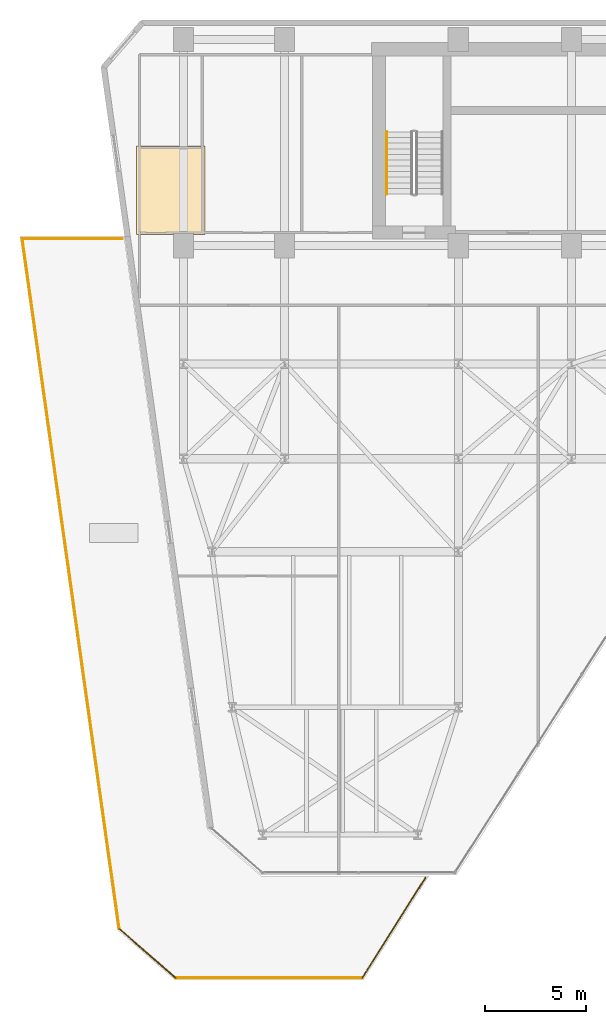
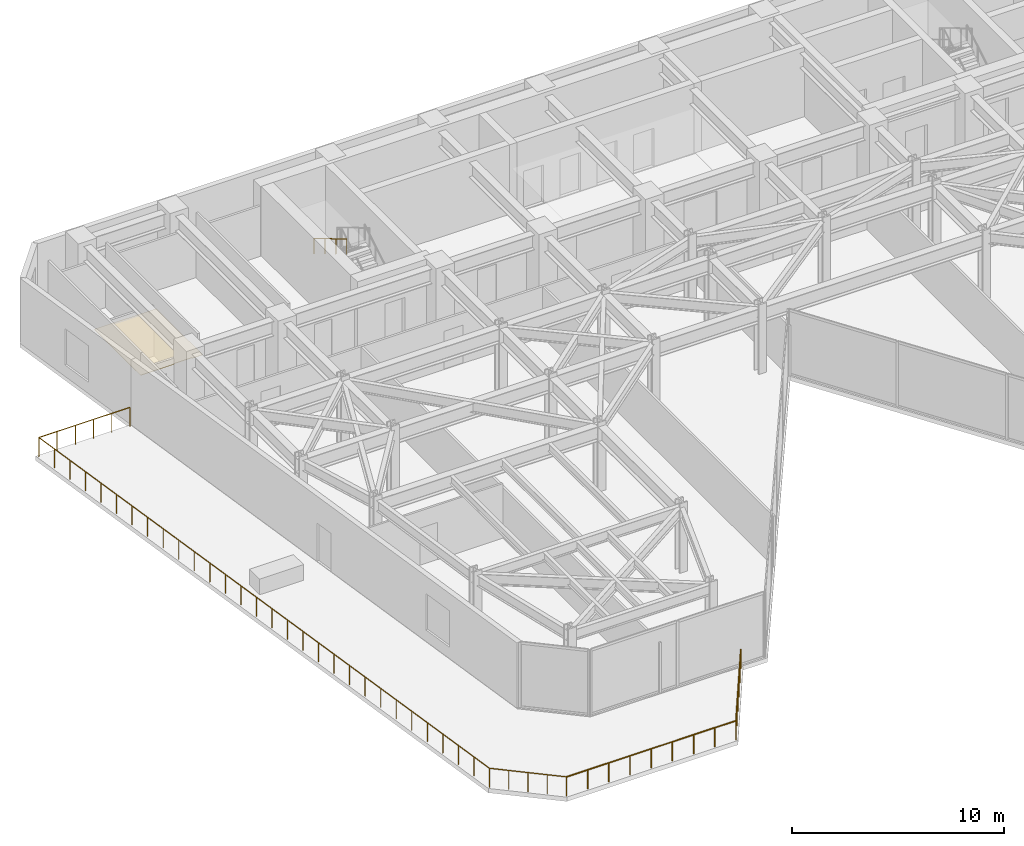
# One storey, part 22 of 24: 6 railings, 1 covering.
"""IFC4 building model written with IfcOpenShell, lengths in metres."""

from ifc_helpers import new_model, si_unit, direction, frame, origin, origin_2d, place, context, subcontext, project, spatial, polyline, circle, outline, extrude, material, layer, layer_set, type_object, element, save


model = new_model("IFC4")

# Units and contexts
model_context = context("Model", 3, precision=1e-05, world=origin(), true_north=direction((0.0, 1.0)))
body_context = subcontext(model_context, "Body", "Model", "MODEL_VIEW")
ifc_project = project(units=[si_unit("LENGTHUNIT", "METRE"), si_unit("AREAUNIT", "SQUARE_METRE"), si_unit("VOLUMEUNIT", "CUBIC_METRE"), si_unit("PLANEANGLEUNIT", "RADIAN"), si_unit("MASSUNIT", "GRAM", prefix="KILO")], contexts=[model_context])

# Site, building, storey
site_placement = place(None, origin())
site = spatial("IfcSite", under=ifc_project, at=site_placement, CompositionType="ELEMENT")
building_placement = place(site_placement, origin())
building = spatial("IfcBuilding", under=site, at=building_placement, Name="Kravanh Interchange Tower", CompositionType="ELEMENT")
storey_placement = place(building_placement, frame((0.0, 0.0, 96.0)))
storey = spatial("IfcBuildingStorey", under=building, at=storey_placement, Name="L22", CompositionType="ELEMENT", Elevation=96.0)

# Covering
ifc_material_1 = material(Name="Acoustic Mineral Fibre Tile on Aluminium Grid", Category="aluminium")
ifc_layer_1 = layer(ifc_material_1, 0.02490234375)
ifc_layer_set_1 = layer_set([ifc_layer_1], Name="Perforated Acoustic Mineral Ceiling 25mm")
covering_type = type_object("IfcCoveringType", Name="Perforated Acoustic Mineral Ceiling 25mm", PredefinedType="CEILING", material=ifc_layer_set_1)
covering_placement = place(storey_placement, frame((0.0, 0.0, 2.550048828125)))
element("IfcCovering", 1, at=covering_placement, inside=storey, type_object=covering_type, Name="L22 Accessible WC Suspended Ceiling", PredefinedType="CEILING", context=body_context, shape_type="SweptSolid", body=[
    extrude(outline(polyline([(14.659912109375, 42.280029296875), (14.659912109375, 37.909912109375), (14.10009765625, 37.909912109375), (14.10009765625, 37.949951171875), (13.10009765625, 37.949951171875), (13.10009765625, 37.909912109375), (11.280029296875, 37.909912109375), (11.280029296875, 42.280029296875), (14.659912109375, 42.280029296875)])), origin(), (0.0, 0.0, 1.0), 0.02490234375),
])

# Railings
ifc_material_2 = material(Name="Stainless Steel 316", Category="steel")
ifc_layer_2 = layer(ifc_material_2, 0.06005859375)
ifc_layer_set_2 = layer_set([ifc_layer_2], Name="Perimeter Balcony and Terrace Guardrail Stainless 316 1120mm")
railing_type_1 = type_object("IfcRailingType", Name="Perimeter Balcony and Terrace Guardrail Stainless 316 1120mm", PredefinedType="GUARDRAIL", material=ifc_layer_set_2)
railing_1_placement = place(storey_placement, frame((13.213134765625, 1.10009765625, 0.0)))
element("IfcRailing", 2, at=railing_1_placement, inside=storey, type_object=railing_type_1, Name="L22 Stepped Terrace Guardrail 1", PredefinedType="GUARDRAIL", context=body_context, shape_type="SweptSolid", body=[
    extrude(circle(Radius=0.02392578125, at=origin_2d()), frame((0.0, 0.0, 1.09619140625), z_axis=(-0.754723455652, 0.656043066794, 0.0), x_axis=(-0.656043066794, -0.754723455652, 0.0)), (0.0, 0.0, 1.0), 3.69873046875),
    extrude(circle(Radius=0.02099609375, at=origin_2d()), origin(), (0.0, 0.0, 1.0), 1.072021484375),
    extrude(circle(Radius=0.02099609375, at=origin_2d()), frame((-0.69775390625, 0.606689453125, 0.0)), (0.0, 0.0, 1.0), 1.072021484375),
    extrude(circle(Radius=0.02099609375, at=origin_2d()), frame((-1.395751953125, 1.21337890625, 0.0)), (0.0, 0.0, 1.0), 1.072021484375),
    extrude(circle(Radius=0.02099609375, at=origin_2d()), frame((-2.09375, 1.81982421875, 0.0)), (0.0, 0.0, 1.0), 1.072021484375),
    extrude(circle(Radius=0.02099609375, at=origin_2d()), frame((-2.79150390625, 2.426513671875, 0.0)), (0.0, 0.0, 1.0), 1.072021484375),
])
railing_2_placement = place(storey_placement, frame((10.421630859375, 3.526611328125, 0.0)))
element("IfcRailing", 3, at=railing_2_placement, inside=storey, type_object=railing_type_1, Name="L22 Stepped Terrace Guardrail 2", PredefinedType="GUARDRAIL", context=body_context, shape_type="SweptSolid", body=[
    extrude(circle(Radius=0.02392578125, at=origin_2d()), frame((0.0, 0.0, 1.09619140625), z_axis=(-0.1391726653, 0.990268129969, 0.0), x_axis=(-0.990268129969, -0.1391726653, 0.0)), (0.0, 0.0, 1.0), 34.50927734375),
    extrude(circle(Radius=0.02099609375, at=origin_2d()), origin(), (0.0, 0.0, 1.0), 1.072021484375),
    extrude(circle(Radius=0.02099609375, at=origin_2d()), frame((-0.16552734375, 1.178466796875, 0.0)), (0.0, 0.0, 1.0), 1.072021484375),
    extrude(circle(Radius=0.02099609375, at=origin_2d()), frame((-0.331298828125, 2.356689453125, 0.0)), (0.0, 0.0, 1.0), 1.072021484375),
    extrude(circle(Radius=0.02099609375, at=origin_2d()), frame((-0.496826171875, 3.53515625, 0.0)), (0.0, 0.0, 1.0), 1.072021484375),
    extrude(circle(Radius=0.02099609375, at=origin_2d()), frame((-0.662353515625, 4.713623046875, 0.0)), (0.0, 0.0, 1.0), 1.072021484375),
    extrude(circle(Radius=0.02099609375, at=origin_2d()), frame((-0.828125, 5.891845703125, 0.0)), (0.0, 0.0, 1.0), 1.072021484375),
    extrude(circle(Radius=0.02099609375, at=origin_2d()), frame((-0.99365234375, 7.0703125, 0.0)), (0.0, 0.0, 1.0), 1.072021484375),
    extrude(circle(Radius=0.02099609375, at=origin_2d()), frame((-1.1591796875, 8.248779296875, 0.0)), (0.0, 0.0, 1.0), 1.072021484375),
    extrude(circle(Radius=0.02099609375, at=origin_2d()), frame((-1.324951171875, 9.42724609375, 0.0)), (0.0, 0.0, 1.0), 1.072021484375),
    extrude(circle(Radius=0.02099609375, at=origin_2d()), frame((-1.490478515625, 10.60546875, 0.0)), (0.0, 0.0, 1.0), 1.072021484375),
    extrude(circle(Radius=0.02099609375, at=origin_2d()), frame((-1.656005859375, 11.783935546875, 0.0)), (0.0, 0.0, 1.0), 1.072021484375),
    extrude(circle(Radius=0.02099609375, at=origin_2d()), frame((-1.82177734375, 12.96240234375, 0.0)), (0.0, 0.0, 1.0), 1.072021484375),
    extrude(circle(Radius=0.02099609375, at=origin_2d()), frame((-1.9873046875, 14.140625, 0.0)), (0.0, 0.0, 1.0), 1.072021484375),
    extrude(circle(Radius=0.02099609375, at=origin_2d()), frame((-2.15283203125, 15.319091796875, 0.0)), (0.0, 0.0, 1.0), 1.072021484375),
    extrude(circle(Radius=0.02099609375, at=origin_2d()), frame((-2.318603515625, 16.49755859375, 0.0)), (0.0, 0.0, 1.0), 1.072021484375),
    extrude(circle(Radius=0.02099609375, at=origin_2d()), frame((-2.484130859375, 17.67578125, 0.0)), (0.0, 0.0, 1.0), 1.072021484375),
    extrude(circle(Radius=0.02099609375, at=origin_2d()), frame((-2.64990234375, 18.854248046875, 0.0)), (0.0, 0.0, 1.0), 1.072021484375),
    extrude(circle(Radius=0.02099609375, at=origin_2d()), frame((-2.8154296875, 20.03271484375, 0.0)), (0.0, 0.0, 1.0), 1.072021484375),
    extrude(circle(Radius=0.02099609375, at=origin_2d()), frame((-2.98095703125, 21.2109375, 0.0)), (0.0, 0.0, 1.0), 1.072021484375),
    extrude(circle(Radius=0.02099609375, at=origin_2d()), frame((-3.146728515625, 22.389404296875, 0.0)), (0.0, 0.0, 1.0), 1.072021484375),
    extrude(circle(Radius=0.02099609375, at=origin_2d()), frame((-3.312255859375, 23.56787109375, 0.0)), (0.0, 0.0, 1.0), 1.072021484375),
    extrude(circle(Radius=0.02099609375, at=origin_2d()), frame((-3.477783203125, 24.74609375, 0.0)), (0.0, 0.0, 1.0), 1.072021484375),
    extrude(circle(Radius=0.02099609375, at=origin_2d()), frame((-3.6435546875, 25.924560546875, 0.0)), (0.0, 0.0, 1.0), 1.072021484375),
    extrude(circle(Radius=0.02099609375, at=origin_2d()), frame((-3.80908203125, 27.10302734375, 0.0)), (0.0, 0.0, 1.0), 1.072021484375),
    extrude(circle(Radius=0.02099609375, at=origin_2d()), frame((-3.974609375, 28.281494140625, 0.0)), (0.0, 0.0, 1.0), 1.072021484375),
    extrude(circle(Radius=0.02099609375, at=origin_2d()), frame((-4.140380859375, 29.459716796875, 0.0)), (0.0, 0.0, 1.0), 1.072021484375),
    extrude(circle(Radius=0.02099609375, at=origin_2d()), frame((-4.305908203125, 30.63818359375, 0.0)), (0.0, 0.0, 1.0), 1.072021484375),
    extrude(circle(Radius=0.02099609375, at=origin_2d()), frame((-4.471435546875, 31.816650390625, 0.0)), (0.0, 0.0, 1.0), 1.072021484375),
    extrude(circle(Radius=0.02099609375, at=origin_2d()), frame((-4.63720703125, 32.994873046875, 0.0)), (0.0, 0.0, 1.0), 1.072021484375),
    extrude(circle(Radius=0.02099609375, at=origin_2d()), frame((-4.802734375, 34.17333984375, 0.0)), (0.0, 0.0, 1.0), 1.072021484375),
])
railing_3_placement = place(storey_placement, frame((5.618896484375, 37.699951171875, 0.0)))
element("IfcRailing", 4, at=railing_3_placement, inside=storey, type_object=railing_type_1, Name="L22 Stepped Terrace Guardrail 3", PredefinedType="GUARDRAIL", context=body_context, shape_type="SweptSolid", body=[
    extrude(circle(Radius=0.02392578125, at=origin_2d()), frame((0.0, 0.0, 1.09619140625), z_axis=(1.0, 0.0, 0.0), x_axis=(0.0, 1.0, 0.0)), (0.0, 0.0, 1.0), 4.95751953125),
    extrude(circle(Radius=0.02099609375, at=origin_2d()), origin(), (0.0, 0.0, 1.0), 1.072021484375),
    extrude(circle(Radius=0.02099609375, at=origin_2d()), frame((0.991455078125, 0.0, 0.0)), (0.0, 0.0, 1.0), 1.072021484375),
    extrude(circle(Radius=0.02099609375, at=origin_2d()), frame((1.98291015625, 0.0, 0.0)), (0.0, 0.0, 1.0), 1.072021484375),
    extrude(circle(Radius=0.02099609375, at=origin_2d()), frame((2.974609375, 0.0, 0.0)), (0.0, 0.0, 1.0), 1.072021484375),
    extrude(circle(Radius=0.02099609375, at=origin_2d()), frame((3.966064453125, 0.0, 0.0)), (0.0, 0.0, 1.0), 1.072021484375),
    extrude(circle(Radius=0.02099609375, at=origin_2d()), frame((4.95751953125, 0.0, 0.0)), (0.0, 0.0, 1.0), 1.072021484375),
])
railing_4_placement = place(storey_placement, frame((25.57177734375, 6.06005859375, 0.0)))
element("IfcRailing", 5, at=railing_4_placement, inside=storey, type_object=railing_type_1, Name="L22 Stepped Terrace Guardrail 7", PredefinedType="GUARDRAIL", context=body_context, shape_type="SweptSolid", body=[
    extrude(circle(Radius=0.02392578125, at=origin_2d()), frame((0.0, 0.0, 1.09619140625), z_axis=(-0.533303514327, -0.845923969164, 0.0), x_axis=(0.845923969164, -0.533303514327, 0.0)), (0.0, 0.0, 1.0), 5.86328125),
    extrude(circle(Radius=0.02099609375, at=origin_2d()), origin(), (0.0, 0.0, 1.0), 1.072021484375),
    extrude(circle(Radius=0.02099609375, at=origin_2d()), frame((-0.62548828125, -0.991943359375, 0.0)), (0.0, 0.0, 1.0), 1.072021484375),
    extrude(circle(Radius=0.02099609375, at=origin_2d()), frame((-1.250732421875, -1.98388671875, 0.0)), (0.0, 0.0, 1.0), 1.072021484375),
    extrude(circle(Radius=0.02099609375, at=origin_2d()), frame((-1.876220703125, -2.97607421875, 0.0)), (0.0, 0.0, 1.0), 1.072021484375),
    extrude(circle(Radius=0.02099609375, at=origin_2d()), frame((-2.50146484375, -3.968017578125, 0.0)), (0.0, 0.0, 1.0), 1.072021484375),
    extrude(circle(Radius=0.02099609375, at=origin_2d()), frame((-3.126953125, -4.9599609375, 0.0)), (0.0, 0.0, 1.0), 1.072021484375),
])
railing_5_placement = place(storey_placement, frame((22.44482421875, 1.10009765625, 0.0)))
element("IfcRailing", 6, at=railing_5_placement, inside=storey, type_object=railing_type_1, Name="L22 Stepped Terrace Guardrail 8", PredefinedType="GUARDRAIL", context=body_context, shape_type="SweptSolid", body=[
    extrude(circle(Radius=0.02392578125, at=origin_2d()), frame((0.0, 0.0, 1.09619140625), z_axis=(-1.0, 0.0, 0.0), x_axis=(0.0, -1.0, 0.0)), (0.0, 0.0, 1.0), 9.231689453125),
    extrude(circle(Radius=0.02099609375, at=origin_2d()), origin(), (0.0, 0.0, 1.0), 1.072021484375),
    extrude(circle(Radius=0.02099609375, at=origin_2d()), frame((-1.154052734375, 0.0, 0.0)), (0.0, 0.0, 1.0), 1.072021484375),
    extrude(circle(Radius=0.02099609375, at=origin_2d()), frame((-2.307861328125, 0.0, 0.0)), (0.0, 0.0, 1.0), 1.072021484375),
    extrude(circle(Radius=0.02099609375, at=origin_2d()), frame((-3.4619140625, 0.0, 0.0)), (0.0, 0.0, 1.0), 1.072021484375),
    extrude(circle(Radius=0.02099609375, at=origin_2d()), frame((-4.61572265625, 0.0, 0.0)), (0.0, 0.0, 1.0), 1.072021484375),
    extrude(circle(Radius=0.02099609375, at=origin_2d()), frame((-5.769775390625, 0.0, 0.0)), (0.0, 0.0, 1.0), 1.072021484375),
    extrude(circle(Radius=0.02099609375, at=origin_2d()), frame((-6.923828125, 0.0, 0.0)), (0.0, 0.0, 1.0), 1.072021484375),
    extrude(circle(Radius=0.02099609375, at=origin_2d()), frame((-8.07763671875, 0.0, 0.0)), (0.0, 0.0, 1.0), 1.072021484375),
    extrude(circle(Radius=0.02099609375, at=origin_2d()), frame((-9.231689453125, 0.0, 0.0)), (0.0, 0.0, 1.0), 1.072021484375),
])
ifc_material_3 = material(Name="Stainless Steel 304", Category="steel")
ifc_layer_3 = layer(ifc_material_3, 0.044921875)
ifc_layer_set_3 = layer_set([ifc_layer_3], Name="Tubular Stair Handrail Stainless 304 900mm")
railing_type_2 = type_object("IfcRailingType", Name="Tubular Stair Handrail Stainless 304 900mm", PredefinedType="HANDRAIL", material=ifc_layer_set_3)
railing_6_placement = place(storey_placement, frame((23.64990234375, 42.97998046875, 2.166748046875)))
element("IfcRailing", 7, at=railing_6_placement, inside=storey, type_object=railing_type_2, Name="L22 ST3 stair handrail 2", PredefinedType="HANDRAIL", context=body_context, shape_type="SweptSolid", body=[
    extrude(circle(Radius=0.02392578125, at=origin_2d()), frame((0.0, 0.0, 0.8759765625), z_axis=(0.0, -0.859308565015, 0.511457515432), x_axis=(1.0, 0.0, 0.0)), (0.0, 0.0, 1.0), 3.58447265625),
    extrude(circle(Radius=0.02099609375, at=origin_2d()), origin(), (0.0, 0.0, 1.0), 0.851806640625),
    extrude(circle(Radius=0.02099609375, at=origin_2d()), frame((0.0, -1.026611328125, 0.611083984375)), (0.0, 0.0, 1.0), 0.851806640625),
    extrude(circle(Radius=0.02099609375, at=origin_2d()), frame((0.0, -2.053466796875, 1.22216796875)), (0.0, 0.0, 1.0), 0.851806640625),
    extrude(circle(Radius=0.02099609375, at=origin_2d()), frame((0.0, -3.080078125, 1.833251953125)), (0.0, 0.0, 1.0), 0.851806640625),
])

save(model, "model.ifc")
